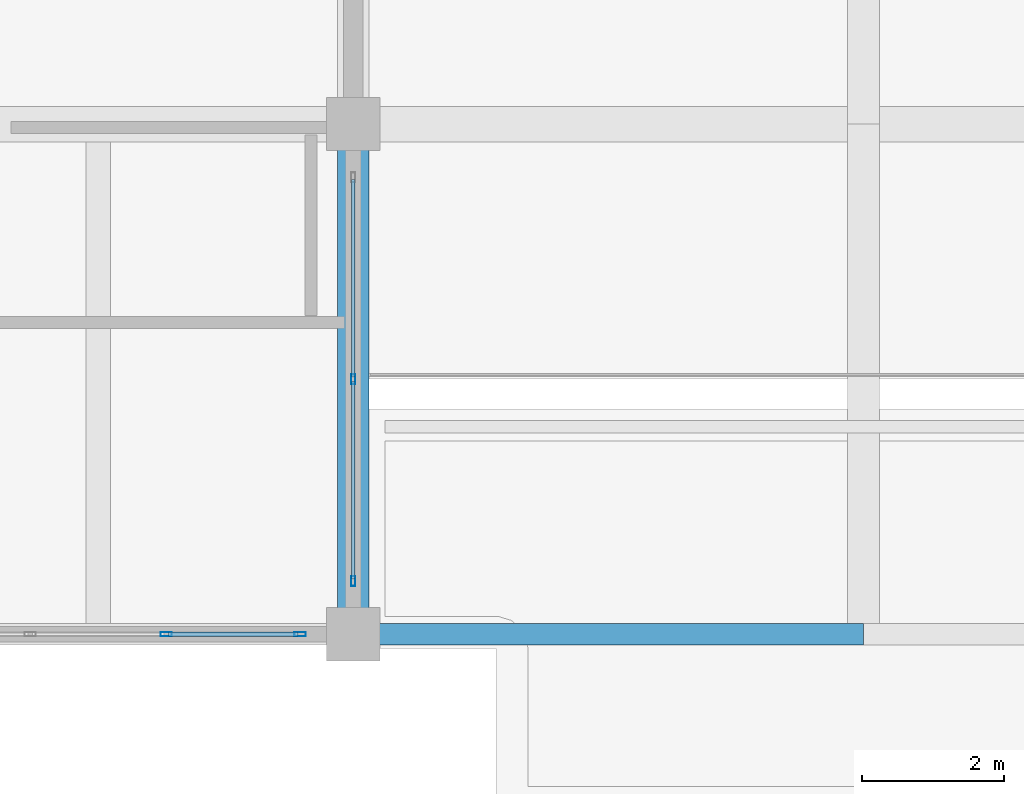
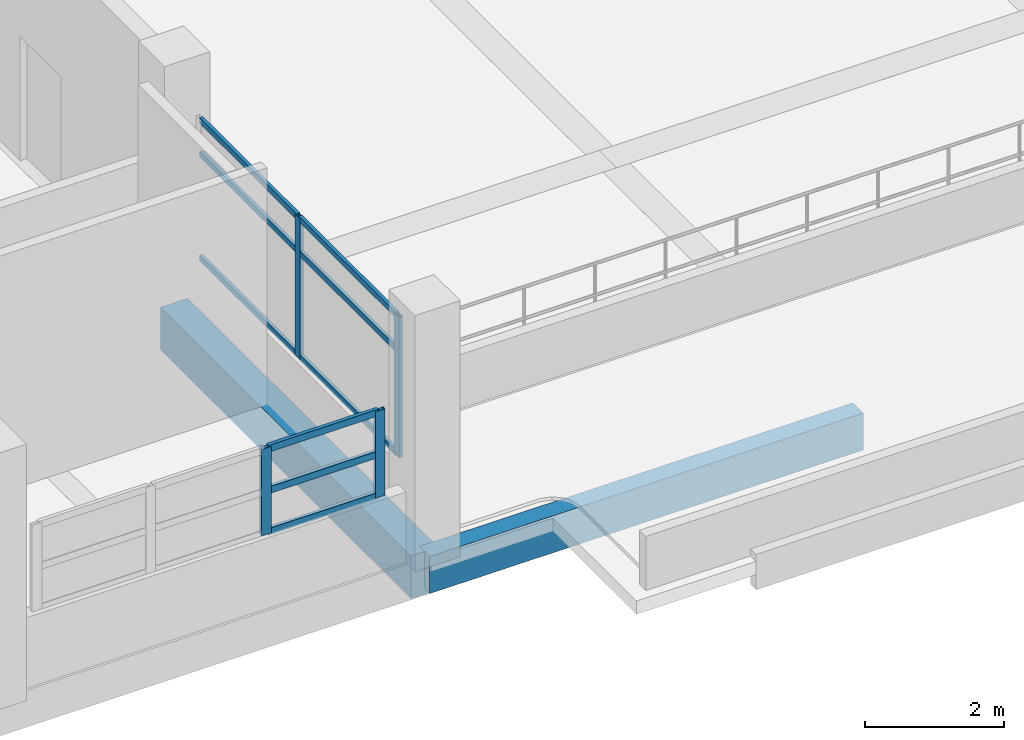
# One storey, part 37 of 141: 13 members, 2 beams, 2 elements without a shape of their own.
"""IFC4 building model written with IfcOpenShell, lengths in metres."""

from ifc_helpers import new_model, si_unit, direction, frame, origin, origin_2d, place, context, subcontext, project, spatial, rectangle, hollow_rectangle, extrude, material, layer, layer_set, material_profile, profile_set, type_object, element, aggregate, save


model = new_model("IFC4")

# Units and contexts
model_context = context("Model", 3, precision=1e-05, world=origin(), true_north=direction((0.0, 1.0)))
body_context = subcontext(model_context, "Body", "Model", "MODEL_VIEW")
ifc_project = project(units=[si_unit("LENGTHUNIT", "METRE"), si_unit("AREAUNIT", "SQUARE_METRE"), si_unit("VOLUMEUNIT", "CUBIC_METRE"), si_unit("PLANEANGLEUNIT", "RADIAN"), si_unit("MASSUNIT", "GRAM", prefix="KILO")], contexts=[model_context])

# Site, building, storey
site_placement = place(None, origin())
site = spatial("IfcSite", under=ifc_project, at=site_placement, CompositionType="ELEMENT")
building_placement = place(site_placement, origin())
building = spatial("IfcBuilding", under=site, at=building_placement, Name="Seraya Terrace Polytechnic", CompositionType="ELEMENT")
storey_placement = place(building_placement, frame((0.0, 0.0, 14.39990234375)))
storey = spatial("IfcBuildingStorey", under=building, at=storey_placement, Name="L03", CompositionType="ELEMENT", Elevation=14.39990234375)

# Beam
ifc_material_1 = material(Name="Concrete C40/50", Category="concrete")
ifc_material_profile_1 = material_profile(ifc_material_1, rectangle(XDim=0.449951171875, YDim=0.75, at=origin_2d()), Name="RC 450x750")
ifc_profile_set_1 = profile_set([ifc_material_profile_1], Name="Concrete C40/50")
beam_type_1 = type_object("IfcBeamType", Name="BM-08", PredefinedType="BEAM", material=ifc_profile_set_1)
beam_1_placement = place(storey_placement, frame((115.199951171875, 0.0, -0.375), z_axis=(0.0, 1.0, 0.0), x_axis=(-1.0, 0.0, 0.0)))
element("IfcBeam", 1, at=beam_1_placement, inside=storey, type_object=beam_type_1, Name="Beam BM-08 L03 Y (115.2, 0.0..7.2)", PredefinedType="BEAM", context=body_context, shape_type="SweptSolid", body=[
    extrude(rectangle(XDim=0.449951171875, YDim=0.75, at=origin_2d()), origin(), (0.0, 0.0, 1.0), 7.199951171875),
])

# Curtain wall, members
ifc_material_2 = material(Name="Anodised aluminium EN AW-6063 T6", Category="aluminium")
ifc_layer_1 = layer(ifc_material_2, 0.179931640625, Name="CW-26")
ifc_layer_set_1 = layer_set([ifc_layer_1], Name="Anodised aluminium EN AW-6063 T6")
curtain_wall_type_1 = type_object("IfcCurtainWallType", Name="CW-26", PredefinedType="NOTDEFINED", material=ifc_layer_set_1)
curtain_wall_1_placement = place(storey_placement, origin())
curtain_wall_1 = element("IfcCurtainWall", 2, at=curtain_wall_1_placement, inside=storey, type_object=curtain_wall_type_1, Name="Unitised curtain wall CW-26 (CW-L03-098)", PredefinedType="NOTDEFINED")
ifc_material_profile_2 = material_profile(ifc_material_2, hollow_rectangle(XDim=0.06005859375, YDim=0.159912109375, WallThickness=0.00341796875, at=origin_2d()), Name="RHS 160x60x3.5")
ifc_profile_set_2 = profile_set([ifc_material_profile_2], Name="Anodised aluminium EN AW-6063 T6")
member_type_1 = type_object("IfcMemberType", Name="CWM-02", PredefinedType="MULLION", material=ifc_profile_set_2)
member_1_placement = place(storey_placement, frame((114.449951171875, 0.0, 1.239990234375), z_axis=(0.0, 0.0, 1.0), x_axis=(0.0, -1.0, 0.0)))
member_1 = element("IfcMember", 3, at=member_1_placement, type_object=member_type_1, Name="CW-26 mullion 1", PredefinedType="MULLION", context=body_context, shape_type="SweptSolid", body=[
    extrude(hollow_rectangle(XDim=0.06005859375, YDim=0.159912109375, WallThickness=0.00341796875, at=origin_2d()), origin(), (0.0, 0.0, 1.0), 1.52001953125),
])
member_2_placement = place(storey_placement, frame((112.56005859375, 0.0, 1.239990234375), z_axis=(0.0, 0.0, 1.0), x_axis=(0.0, -1.0, 0.0)))
member_2 = element("IfcMember", 4, at=member_2_placement, type_object=member_type_1, Name="CW-26 mullion 2", PredefinedType="MULLION", context=body_context, shape_type="SweptSolid", body=[
    extrude(hollow_rectangle(XDim=0.06005859375, YDim=0.159912109375, WallThickness=0.00341796875, at=origin_2d()), origin(), (0.0, 0.0, 1.0), 1.52001953125),
])

ifc_layer_2 = layer(ifc_material_2, 0.179931640625, Name="CW-27")
ifc_layer_set_2 = layer_set([ifc_layer_2], Name="Anodised aluminium EN AW-6063 T6")
curtain_wall_type_2 = type_object("IfcCurtainWallType", Name="CW-27", PredefinedType="NOTDEFINED", material=ifc_layer_set_2)
curtain_wall_2_placement = place(storey_placement, origin())
curtain_wall_2 = element("IfcCurtainWall", 5, at=curtain_wall_2_placement, inside=storey, type_object=curtain_wall_type_2, Name="Unitised curtain wall CW-27 (CW-L03-135)", PredefinedType="NOTDEFINED")
ifc_material_profile_3 = material_profile(ifc_material_2, hollow_rectangle(XDim=0.06005859375, YDim=0.139892578125, WallThickness=0.00341796875, at=origin_2d()), Name="RHS 140x60x3.5")
ifc_profile_set_3 = profile_set([ifc_material_profile_3], Name="Anodised aluminium EN AW-6063 T6")
member_type_2 = type_object("IfcMemberType", Name="CWM-03", PredefinedType="MULLION", material=ifc_profile_set_3)
member_3_placement = place(storey_placement, frame((115.199951171875, 3.60009765625, 1.239990234375), z_axis=(0.0, 0.0, 1.0), x_axis=(1.0, 0.0, 0.0)))
member_3 = element("IfcMember", 6, at=member_3_placement, type_object=member_type_2, Name="CW-27 mullion 2", PredefinedType="MULLION", context=body_context, shape_type="SweptSolid", body=[
    extrude(hollow_rectangle(XDim=0.06005859375, YDim=0.139892578125, WallThickness=0.00341796875, at=origin_2d()), origin(), (0.0, 0.0, 1.0), 2.47021484375),
])
member_4_placement = place(storey_placement, frame((115.199951171875, 0.75, 1.239990234375), z_axis=(0.0, 0.0, 1.0), x_axis=(1.0, 0.0, 0.0)))
member_4 = element("IfcMember", 7, at=member_4_placement, type_object=member_type_2, Name="CW-27 mullion 3", PredefinedType="MULLION", context=body_context, shape_type="SweptSolid", body=[
    extrude(hollow_rectangle(XDim=0.06005859375, YDim=0.139892578125, WallThickness=0.00341796875, at=origin_2d()), origin(), (0.0, 0.0, 1.0), 2.47021484375),
])

# Member
ifc_material_profile_4 = material_profile(ifc_material_2, hollow_rectangle(XDim=0.06005859375, YDim=0.1201171875, WallThickness=0.003173828125, at=origin_2d()), Name="RHS 120x60x3.2")
ifc_profile_set_4 = profile_set([ifc_material_profile_4], Name="Anodised aluminium EN AW-6063 T6")
member_type_3 = type_object("IfcMemberType", Name="CWT-02", PredefinedType="USERDEFINED", material=ifc_profile_set_4)
member_5_placement = place(storey_placement, frame((114.419921875, 0.0, 1.27001953125), z_axis=(-1.0, 0.0, 0.0), x_axis=(0.0, -1.0, 0.0)))
member_5 = element("IfcMember", 8, at=member_5_placement, type_object=member_type_3, Name="CW-26 transom 1.1", ObjectType="TRANSOM", PredefinedType="USERDEFINED", context=body_context, shape_type="SweptSolid", body=[
    extrude(hollow_rectangle(XDim=0.06005859375, YDim=0.1201171875, WallThickness=0.003173828125, at=origin_2d()), origin(), (0.0, 0.0, 1.0), 1.829833984375),
])

member_6_placement = place(storey_placement, frame((114.419921875, 0.0, 2.0), z_axis=(-1.0, 0.0, 0.0), x_axis=(0.0, -1.0, 0.0)))
member_6 = element("IfcMember", 9, at=member_6_placement, type_object=member_type_3, Name="CW-26 transom 1.2", ObjectType="TRANSOM", PredefinedType="USERDEFINED", context=body_context, shape_type="SweptSolid", body=[
    extrude(hollow_rectangle(XDim=0.06005859375, YDim=0.1201171875, WallThickness=0.003173828125, at=origin_2d()), origin(), (0.0, 0.0, 1.0), 1.829833984375),
])

member_7_placement = place(storey_placement, frame((114.419921875, 0.0, 2.72998046875), z_axis=(-1.0, 0.0, 0.0), x_axis=(0.0, -1.0, 0.0)))
member_7 = element("IfcMember", 10, at=member_7_placement, type_object=member_type_3, Name="CW-26 transom 1.3", ObjectType="TRANSOM", PredefinedType="USERDEFINED", context=body_context, shape_type="SweptSolid", body=[
    extrude(hollow_rectangle(XDim=0.06005859375, YDim=0.1201171875, WallThickness=0.003173828125, at=origin_2d()), origin(), (0.0, 0.0, 1.0), 1.829833984375),
])

aggregate(curtain_wall_1, [member_1, member_2, member_5, member_6, member_7])

ifc_material_profile_5 = material_profile(ifc_material_2, hollow_rectangle(XDim=0.054931640625, YDim=0.10009765625, WallThickness=0.0029296875, at=origin_2d()), Name="RHS 100x55x3.0")
ifc_profile_set_5 = profile_set([ifc_material_profile_5], Name="Anodised aluminium EN AW-6063 T6")
member_type_4 = type_object("IfcMemberType", Name="CWT-03", PredefinedType="USERDEFINED", material=ifc_profile_set_5)
member_8_placement = place(storey_placement, frame((115.199951171875, 6.419921875, 1.267578125), z_axis=(0.0, -1.0, 0.0), x_axis=(1.0, 0.0, 0.0)))
member_8 = element("IfcMember", 11, at=member_8_placement, type_object=member_type_4, Name="CW-27 transom 1.1", ObjectType="TRANSOM", PredefinedType="USERDEFINED", context=body_context, shape_type="SweptSolid", body=[
    extrude(hollow_rectangle(XDim=0.054931640625, YDim=0.10009765625, WallThickness=0.0029296875, at=origin_2d()), origin(), (0.0, 0.0, 1.0), 2.7900390625),
])

member_9_placement = place(storey_placement, frame((115.199951171875, 6.419921875, 3.090087890625), z_axis=(0.0, -1.0, 0.0), x_axis=(1.0, 0.0, 0.0)))
member_9 = element("IfcMember", 12, at=member_9_placement, type_object=member_type_4, Name="CW-27 transom 1.2", ObjectType="TRANSOM", PredefinedType="USERDEFINED", context=body_context, shape_type="SweptSolid", body=[
    extrude(hollow_rectangle(XDim=0.054931640625, YDim=0.10009765625, WallThickness=0.0029296875, at=origin_2d()), origin(), (0.0, 0.0, 1.0), 2.7900390625),
])

member_10_placement = place(storey_placement, frame((115.199951171875, 6.419921875, 3.6826171875), z_axis=(0.0, -1.0, 0.0), x_axis=(1.0, 0.0, 0.0)))
member_10 = element("IfcMember", 13, at=member_10_placement, type_object=member_type_4, Name="CW-27 transom 1.3", ObjectType="TRANSOM", PredefinedType="USERDEFINED", context=body_context, shape_type="SweptSolid", body=[
    extrude(hollow_rectangle(XDim=0.054931640625, YDim=0.10009765625, WallThickness=0.0029296875, at=origin_2d()), origin(), (0.0, 0.0, 1.0), 2.7900390625),
])

member_11_placement = place(storey_placement, frame((115.199951171875, 3.570068359375, 1.267578125), z_axis=(0.0, -1.0, 0.0), x_axis=(1.0, 0.0, 0.0)))
member_11 = element("IfcMember", 14, at=member_11_placement, type_object=member_type_4, Name="CW-27 transom 2.1", ObjectType="TRANSOM", PredefinedType="USERDEFINED", context=body_context, shape_type="SweptSolid", body=[
    extrude(hollow_rectangle(XDim=0.054931640625, YDim=0.10009765625, WallThickness=0.0029296875, at=origin_2d()), origin(), (0.0, 0.0, 1.0), 2.7900390625),
])

member_12_placement = place(storey_placement, frame((115.199951171875, 3.570068359375, 3.090087890625), z_axis=(0.0, -1.0, 0.0), x_axis=(1.0, 0.0, 0.0)))
member_12 = element("IfcMember", 15, at=member_12_placement, type_object=member_type_4, Name="CW-27 transom 2.2", ObjectType="TRANSOM", PredefinedType="USERDEFINED", context=body_context, shape_type="SweptSolid", body=[
    extrude(hollow_rectangle(XDim=0.054931640625, YDim=0.10009765625, WallThickness=0.0029296875, at=origin_2d()), origin(), (0.0, 0.0, 1.0), 2.7900390625),
])

member_13_placement = place(storey_placement, frame((115.199951171875, 3.570068359375, 3.6826171875), z_axis=(0.0, -1.0, 0.0), x_axis=(1.0, 0.0, 0.0)))
member_13 = element("IfcMember", 16, at=member_13_placement, type_object=member_type_4, Name="CW-27 transom 2.3", ObjectType="TRANSOM", PredefinedType="USERDEFINED", context=body_context, shape_type="SweptSolid", body=[
    extrude(hollow_rectangle(XDim=0.054931640625, YDim=0.10009765625, WallThickness=0.0029296875, at=origin_2d()), origin(), (0.0, 0.0, 1.0), 2.7900390625),
])

aggregate(curtain_wall_2, [member_3, member_4, member_8, member_9, member_10, member_11, member_12, member_13])

# Beam
ifc_material_profile_6 = material_profile(ifc_material_1, rectangle(XDim=0.300048828125, YDim=0.64990234375, at=origin_2d()), Name="RC 300x650")
ifc_profile_set_6 = profile_set([ifc_material_profile_6], Name="Concrete C40/50")
beam_type_2 = type_object("IfcBeamType", Name="SP-01", PredefinedType="SPANDREL", material=ifc_profile_set_6)
beam_2_placement = place(storey_placement, frame((115.199951171875, 0.0, -0.324951171875), z_axis=(1.0, 0.0, 0.0), x_axis=(0.0, 1.0, 0.0)))
element("IfcBeam", 17, at=beam_2_placement, inside=storey, type_object=beam_type_2, Name="Beam SP-01 L03 X (115.2..122.4, 0.0)", PredefinedType="SPANDREL", context=body_context, shape_type="SweptSolid", body=[
    extrude(rectangle(XDim=0.300048828125, YDim=0.64990234375, at=origin_2d()), origin(), (0.0, 0.0, 1.0), 7.199951171875),
])

save(model, "model.ifc")
